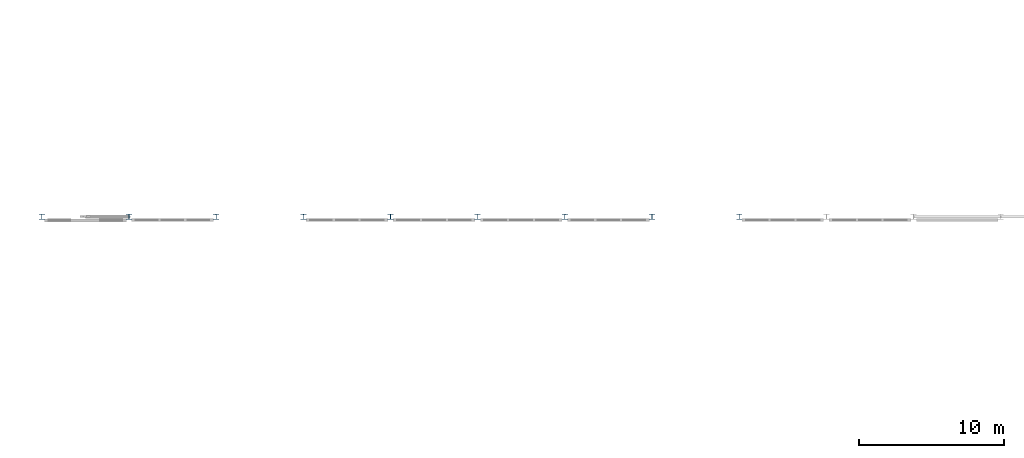
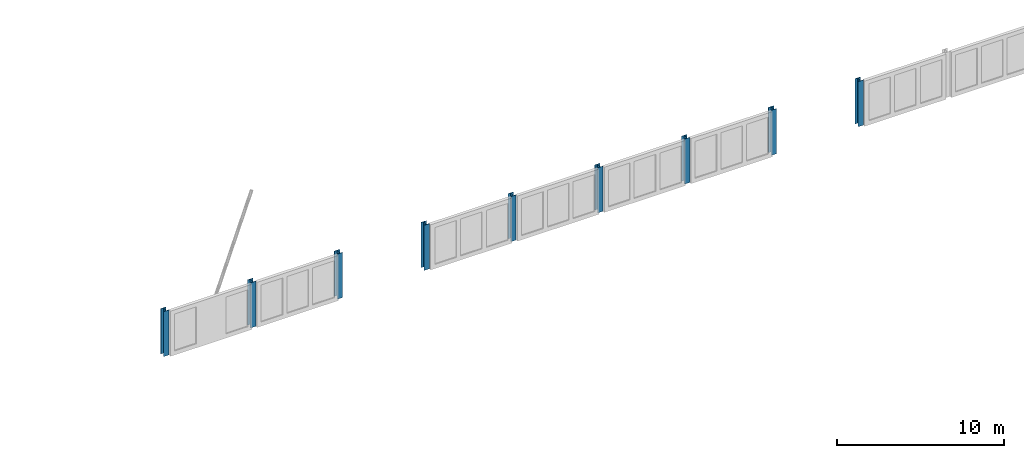
# One storey, part 3 of 198: 9 columns.
"""IFC4 building model written with IfcOpenShell, lengths in metres."""

from ifc_helpers import new_model, si_unit, direction, frame, origin, origin_2d, place, context, subcontext, project, spatial, i_section, extrude, material, material_profile, profile_set, type_object, element, save


model = new_model("IFC4")

# Units and contexts
model_context = context("Model", 3, precision=1e-05, world=origin(), true_north=direction((0.0, 1.0)))
body_context = subcontext(model_context, "Body", "Model", "MODEL_VIEW")
ifc_project = project(units=[si_unit("LENGTHUNIT", "METRE"), si_unit("AREAUNIT", "SQUARE_METRE"), si_unit("VOLUMEUNIT", "CUBIC_METRE"), si_unit("PLANEANGLEUNIT", "RADIAN"), si_unit("MASSUNIT", "GRAM", prefix="KILO")], contexts=[model_context])

# Site, building, storey
site_placement = place(None, origin())
site = spatial("IfcSite", under=ifc_project, at=site_placement, CompositionType="ELEMENT")
building_placement = place(site_placement, origin())
building = spatial("IfcBuilding", under=site, at=building_placement, Name="Parallax Yard Mobility Hub", CompositionType="ELEMENT")
storey_placement = place(building_placement, frame((0.0, 0.0, 6.60009765625)))
storey = spatial("IfcBuildingStorey", under=building, at=storey_placement, Name="L02", CompositionType="ELEMENT", Elevation=6.60009765625)

# Columns
ifc_material = material(Name="Steel ASTM A992", Category="steel")
ifc_material_profile = material_profile(ifc_material, i_section(OverallWidth=0.373046875, OverallDepth=0.367919921875, WebThickness=0.014892578125, FlangeThickness=0.02392578125, FilletRadius=0.01513671875, at=origin_2d()), Name="W360x179")
ifc_profile_set = profile_set([ifc_material_profile], Name="Steel ASTM A992")
column_type = type_object("IfcColumnType", Name="W360x179 column", PredefinedType="COLUMN", material=ifc_profile_set)
for number, where, z_axis, x_axis, name in (
    (1, (9.0, 52.5, 0.0), (0.0, 0.0, 1.0), (1.0, 0.0, 0.0), "Column C7 level L02 at F1/H of bus and taxi deck"),
    (2, (15.0, 52.5, 0.0), (0.0, 0.0, 1.0), (1.0, 0.0, 0.0), "Column C7 level L02 at F2/H of bus and taxi deck"),
    (3, (21.0, 52.5, 0.0), (0.0, 0.0, 1.0), (1.0, 0.0, 0.0), "Column C7 level L02 at F3/H of bus and taxi deck"),
    (4, (27.0, 52.5, 0.0), (0.0, 0.0, 1.0), (1.0, 0.0, 0.0), "Column C7 level L02 at F4/H of bus and taxi deck"),
    (5, (33.0, 52.5, 0.0), (0.0, 0.0, 1.0), (1.0, 0.0, 0.0), "Column C7 level L02 at F5/H of bus and taxi deck"),
    (6, (39.0, 52.5, 0.0), (0.0, 0.0, 1.0), (1.0, 0.0, 0.0), "Column C7 level L02 at F6/H of bus and taxi deck"),
    (7, (45.0, 52.5, 0.0), (0.0, 0.0, 1.0), (1.0, 0.0, 0.0), "Column C7 level L02 at F7/H of bus and taxi deck"),
    (8, (51.0, 52.5, 0.0), (0.0, 0.0, 1.0), (1.0, 0.0, 0.0), "Column C7 level L02 at F8/H of bus and taxi deck"),
    (9, (57.0, 52.5, 0.0), (0.0, 0.0, 1.0), (1.0, 0.0, 0.0), "Column C7 level L02 at F9/H of bus and taxi deck"),
):
    element("IfcColumn", number, at=place(storey_placement, frame(where, z_axis=z_axis, x_axis=x_axis)), inside=storey, type_object=column_type, Name=name, PredefinedType="COLUMN", context=body_context, shape_type="SweptSolid", body=[
        extrude(i_section(OverallWidth=0.373046875, OverallDepth=0.367919921875, WebThickness=0.014892578125, FlangeThickness=0.02392578125, FilletRadius=0.01513671875, at=origin_2d()), origin(), (0.0, 0.0, 1.0), 3.2998046875),
    ])

save(model, "model.ifc")
